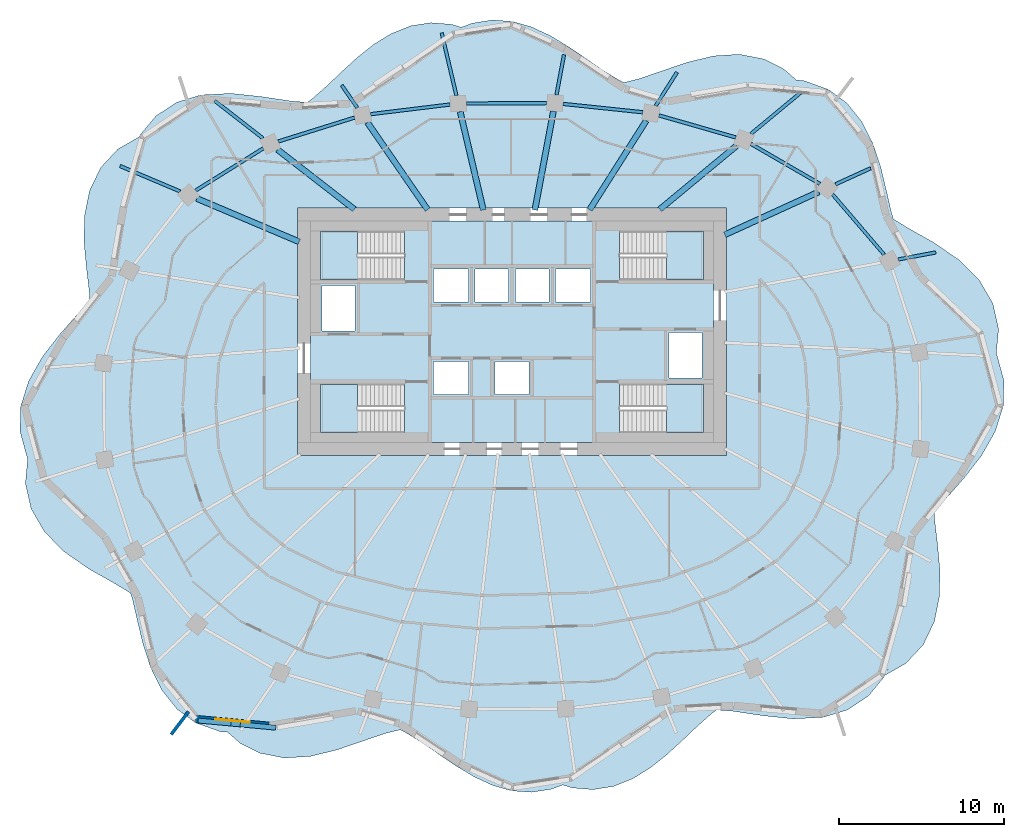
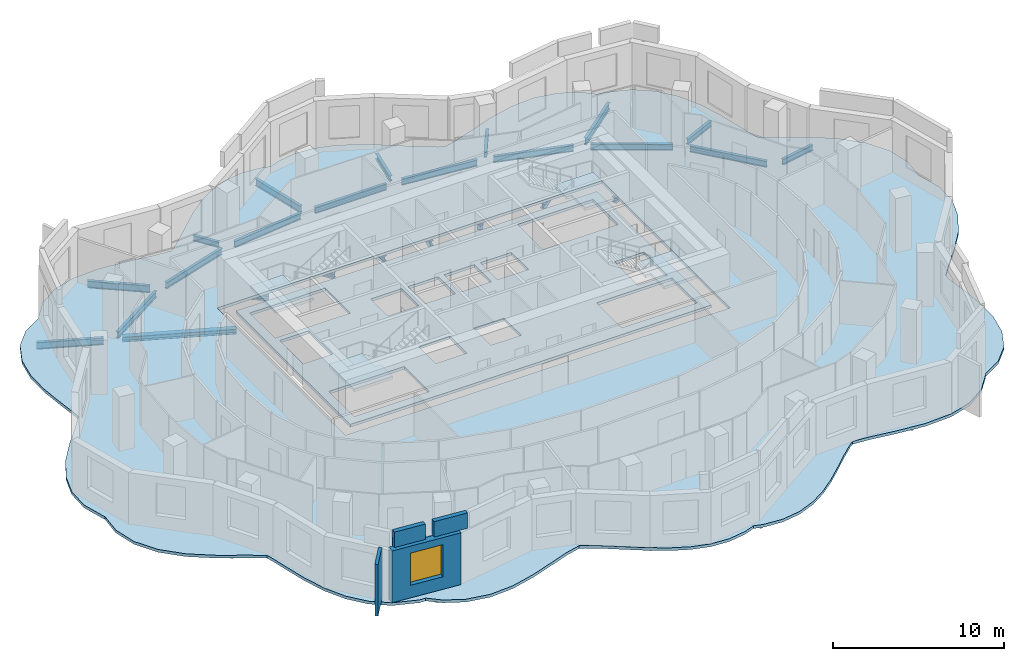
# One storey, part 2 of 10: 25 beams, 6 slabs, 4 walls, 1 window, 1 opening, 4 elements without a shape of their own.
"""IFC4 building model written with IfcOpenShell, lengths in metres."""

from ifc_helpers import new_model, si_unit, direction, frame, frame_2d, origin, origin_2d, place, context, subcontext, project, spatial, polyline, rectangle, i_section, outline, extrude, material, layer, layer_set, material_profile, profile_set, type_object, element, fill, aggregate, save


model = new_model("IFC4")

# Units and contexts
model_context = context("Model", 3, precision=1e-05, world=origin(), true_north=direction((0.0, 1.0)))
body_context = subcontext(model_context, "Body", "Model", "MODEL_VIEW")
ifc_project = project(units=[si_unit("LENGTHUNIT", "METRE"), si_unit("AREAUNIT", "SQUARE_METRE"), si_unit("VOLUMEUNIT", "CUBIC_METRE"), si_unit("PLANEANGLEUNIT", "RADIAN"), si_unit("MASSUNIT", "GRAM", prefix="KILO")], contexts=[model_context])

# Site, building, storey
site_placement = place(None, origin())
site = spatial("IfcSite", under=ifc_project, at=site_placement, CompositionType="ELEMENT")
building_placement = place(site_placement, origin())
building = spatial("IfcBuilding", under=site, at=building_placement, Name="Rubra Terraces Tower", CompositionType="ELEMENT")
storey_placement = place(building_placement, frame((0.0, 0.0, 205.199951171875)))
storey = spatial("IfcBuildingStorey", under=building, at=storey_placement, Name="L50", CompositionType="ELEMENT", Elevation=205.199951171875)

# Beams
ifc_material_1 = material(Name="Steel Q355B", Category="steel")
ifc_material_profile_1 = material_profile(ifc_material_1, i_section(OverallWidth=0.199951171875, OverallDepth=0.39990234375, WebThickness=0.008056640625, FlangeThickness=0.012939453125, at=origin_2d()), Name="HN 400x200x8x13")
ifc_profile_set_1 = profile_set([ifc_material_profile_1], Name="Steel Q355B")
beam_type_1 = type_object("IfcBeamType", Name="CANTILEVER BEAM HN 400x200x8x13", PredefinedType="BEAM", material=ifc_profile_set_1)
beam_1_placement = place(storey_placement, frame((23.39794921875, 8.884033203125, -0.39990234375), z_axis=(0.982868607844, 0.184307622507, 0.0), x_axis=(-0.184307622507, 0.982868607844, 0.0)))
element("IfcBeam", 1, at=beam_1_placement, inside=storey, type_object=beam_type_1, Name="beam-L50-cant-02", PredefinedType="BEAM", context=body_context, shape_type="SweptSolid", body=[
    extrude(i_section(OverallWidth=0.199951171875, OverallDepth=0.39990234375, WebThickness=0.008056640625, FlangeThickness=0.012939453125, at=origin_2d()), origin(), (0.0, 0.0, 1.0), 2.31689453125),
])
beam_2_placement = place(storey_placement, frame((19.596923828125, 13.43896484375, -0.39990234375), z_axis=(0.909791454917, 0.415065667769, 0.0), x_axis=(-0.415065667769, 0.909791454917, 0.0)))
element("IfcBeam", 2, at=beam_2_placement, inside=storey, type_object=beam_type_1, Name="beam-L50-cant-03", PredefinedType="BEAM", context=body_context, shape_type="SweptSolid", body=[
    extrude(i_section(OverallWidth=0.199951171875, OverallDepth=0.39990234375, WebThickness=0.008056640625, FlangeThickness=0.012939453125, at=origin_2d()), origin(), (0.0, 0.0, 1.0), 2.344482421875),
])
beam_3_placement = place(storey_placement, frame((8.7099609375, 18.201904296875, -0.39990234375), z_axis=(0.536577917642, 0.84385077964, 0.0), x_axis=(-0.84385077964, 0.536577917642, 0.0)))
element("IfcBeam", 3, at=beam_3_placement, inside=storey, type_object=beam_type_1, Name="beam-L50-cant-05", PredefinedType="BEAM", context=body_context, shape_type="SweptSolid", body=[
    extrude(i_section(OverallWidth=0.199951171875, OverallDepth=0.39990234375, WebThickness=0.008056640625, FlangeThickness=0.012939453125, at=origin_2d()), origin(), (0.0, 0.0, 1.0), 2.38916015625),
])
beam_4_placement = place(storey_placement, frame((2.695068359375, 18.85400390625, -0.39990234375), z_axis=(0.18429449499, 0.982871069427, 0.0), x_axis=(-0.982871069427, 0.18429449499, 0.0)))
element("IfcBeam", 4, at=beam_4_placement, inside=storey, type_object=beam_type_1, Name="beam-L50-cant-06", PredefinedType="BEAM", context=body_context, shape_type="SweptSolid", body=[
    extrude(i_section(OverallWidth=0.199951171875, OverallDepth=0.39990234375, WebThickness=0.008056640625, FlangeThickness=0.012939453125, at=origin_2d()), origin(), (0.0, 0.0, 1.0), 2.473388671875),
])
beam_5_placement = place(storey_placement, frame((-9.3701171875, 18.070068359375, -0.39990234375), z_axis=(-0.568287582361, 0.822830009014, 0.0), x_axis=(-0.822830009014, -0.568287582361, 0.0)))
element("IfcBeam", 5, at=beam_5_placement, inside=storey, type_object=beam_type_1, Name="beam-L50-cant-08", PredefinedType="BEAM", context=body_context, shape_type="SweptSolid", body=[
    extrude(i_section(OverallWidth=0.199951171875, OverallDepth=0.39990234375, WebThickness=0.008056640625, FlangeThickness=0.012939453125, at=origin_2d()), origin(), (0.0, 0.0, 1.0), 1.666015625),
])
ifc_material_profile_2 = material_profile(ifc_material_1, i_section(OverallWidth=0.198974609375, OverallDepth=0.49609375, WebThickness=0.009033203125, FlangeThickness=0.013916015625, at=origin_2d()), Name="HN 496x199x9x14")
ifc_profile_set_2 = profile_set([ifc_material_profile_2], Name="Steel Q355B")
beam_type_2 = type_object("IfcBeamType", Name="CANTILEVER BEAM HN 496x199x9x14", PredefinedType="BEAM", material=ifc_profile_set_2)
beam_6_placement = place(storey_placement, frame((14.47509765625, 16.4951171875, -0.447998046875), z_axis=(0.770112647774, 0.637907916347, 0.0), x_axis=(-0.637907916347, 0.770112647774, 0.0)))
element("IfcBeam", 6, at=beam_6_placement, inside=storey, type_object=beam_type_2, Name="beam-L50-cant-04", PredefinedType="BEAM", context=body_context, shape_type="SweptSolid", body=[
    extrude(i_section(OverallWidth=0.198974609375, OverallDepth=0.49609375, WebThickness=0.009033203125, FlangeThickness=0.013916015625, at=origin_2d()), origin(), (0.0, 0.0, 1.0), 3.949951171875),
])
beam_7_placement = place(storey_placement, frame((-3.3701171875, 18.823974609375, -0.447998046875), z_axis=(-0.228972734486, 0.973432836338, 0.0), x_axis=(-0.973432836338, -0.228972734486, 0.0)))
element("IfcBeam", 7, at=beam_7_placement, inside=storey, type_object=beam_type_2, Name="beam-L50-cant-07", PredefinedType="BEAM", context=body_context, shape_type="SweptSolid", body=[
    extrude(i_section(OverallWidth=0.198974609375, OverallDepth=0.49609375, WebThickness=0.009033203125, FlangeThickness=0.013916015625, at=origin_2d()), origin(), (0.0, 0.0, 1.0), 3.882080078125),
])
beam_8_placement = place(storey_placement, frame((-15.087890625, 16.22705078125, -0.447998046875), z_axis=(-0.789596931968, 0.613625851009, 0.0), x_axis=(-0.613625851009, -0.789596931968, 0.0)))
element("IfcBeam", 8, at=beam_8_placement, inside=storey, type_object=beam_type_2, Name="beam-L50-cant-09", PredefinedType="BEAM", context=body_context, shape_type="SweptSolid", body=[
    extrude(i_section(OverallWidth=0.198974609375, OverallDepth=0.49609375, WebThickness=0.009033203125, FlangeThickness=0.013916015625, at=origin_2d()), origin(), (0.0, 0.0, 1.0), 3.705810546875),
])
beam_9_placement = place(storey_placement, frame((-20.10205078125, 13.0048828125, -0.447998046875), z_axis=(-0.920935678628, 0.389714608181, 0.0), x_axis=(-0.389714608181, -0.920935678628, 0.0)))
element("IfcBeam", 9, at=beam_9_placement, inside=storey, type_object=beam_type_2, Name="beam-L50-cant-10", PredefinedType="BEAM", context=body_context, shape_type="SweptSolid", body=[
    extrude(i_section(OverallWidth=0.198974609375, OverallDepth=0.49609375, WebThickness=0.009033203125, FlangeThickness=0.013916015625, at=origin_2d()), origin(), (0.0, 0.0, 1.0), 3.94921875),
])
ifc_material_profile_3 = material_profile(ifc_material_1, i_section(OverallWidth=0.35009765625, OverallDepth=0.35009765625, WebThickness=0.011962890625, FlangeThickness=0.01904296875, at=origin_2d()), Name="HW 350x350x12x19")
ifc_profile_set_3 = profile_set([ifc_material_profile_3], Name="Steel Q355B")
beam_type_3 = type_object("IfcBeamType", Name="FLOOR BEAM HW 350x350x12x19", PredefinedType="BEAM", material=ifc_profile_set_3)
beam_10_placement = place(storey_placement, frame((18.5869140625, 12.97900390625, -0.375), z_axis=(-0.909756526533, -0.415142219523, 0.0), x_axis=(0.415142219523, -0.909756526533, 0.0)))
element("IfcBeam", 10, at=beam_10_placement, inside=storey, type_object=beam_type_3, Name="beam-L50-floor-03", PredefinedType="BEAM", context=body_context, shape_type="SweptSolid", body=[
    extrude(i_section(OverallWidth=0.35009765625, OverallDepth=0.35009765625, WebThickness=0.011962890625, FlangeThickness=0.01904296875, at=origin_2d()), origin(), (0.0, 0.0, 1.0), 6.2607421875),
])
beam_11_placement = place(storey_placement, frame((13.60888671875, 15.777099609375, -0.375), z_axis=(-0.769987518392, -0.638058948312, 0.0), x_axis=(0.638058948312, -0.769987518392, 0.0)))
element("IfcBeam", 11, at=beam_11_placement, inside=storey, type_object=beam_type_3, Name="beam-L50-floor-04", PredefinedType="BEAM", context=body_context, shape_type="SweptSolid", body=[
    extrude(i_section(OverallWidth=0.35009765625, OverallDepth=0.35009765625, WebThickness=0.011962890625, FlangeThickness=0.01904296875, at=origin_2d()), origin(), (0.0, 0.0, 1.0), 6.040283203125),
])
beam_12_placement = place(storey_placement, frame((8.134033203125, 17.2958984375, -0.375), z_axis=(-0.536509861106, -0.843894050776, 0.0), x_axis=(0.843894050776, -0.536509861106, 0.0)))
element("IfcBeam", 12, at=beam_12_placement, inside=storey, type_object=beam_type_3, Name="beam-L50-floor-05", PredefinedType="BEAM", context=body_context, shape_type="SweptSolid", body=[
    extrude(i_section(OverallWidth=0.35009765625, OverallDepth=0.35009765625, WebThickness=0.011962890625, FlangeThickness=0.01904296875, at=origin_2d()), origin(), (0.0, 0.0, 1.0), 6.395263671875),
])
beam_13_placement = place(storey_placement, frame((2.509033203125, 17.862060546875, -0.375), z_axis=(-0.184574398021, -0.982818544593, 0.0), x_axis=(0.982818544593, -0.184574398021, 0.0)))
element("IfcBeam", 13, at=beam_13_placement, inside=storey, type_object=beam_type_3, Name="beam-L50-floor-06", PredefinedType="BEAM", context=body_context, shape_type="SweptSolid", body=[
    extrude(i_section(OverallWidth=0.35009765625, OverallDepth=0.35009765625, WebThickness=0.011962890625, FlangeThickness=0.01904296875, at=origin_2d()), origin(), (0.0, 0.0, 1.0), 6.08447265625),
])
beam_14_placement = place(storey_placement, frame((-3.137939453125, 17.8359375, -0.375), z_axis=(0.229070485592, -0.973409837957, 0.0), x_axis=(0.973409837957, 0.229070485592, 0.0)))
element("IfcBeam", 14, at=beam_14_placement, inside=storey, type_object=beam_type_3, Name="beam-L50-floor-07", PredefinedType="BEAM", context=body_context, shape_type="SweptSolid", body=[
    extrude(i_section(OverallWidth=0.35009765625, OverallDepth=0.35009765625, WebThickness=0.011962890625, FlangeThickness=0.01904296875, at=origin_2d()), origin(), (0.0, 0.0, 1.0), 6.115478515625),
])
beam_15_placement = place(storey_placement, frame((-8.756103515625, 17.179931640625, -0.375), z_axis=(0.568186422001, -0.822899866238, 0.0), x_axis=(0.822899866238, 0.568186422001, 0.0)))
element("IfcBeam", 15, at=beam_15_placement, inside=storey, type_object=beam_type_3, Name="beam-L50-floor-08", PredefinedType="BEAM", context=body_context, shape_type="SweptSolid", body=[
    extrude(i_section(OverallWidth=0.35009765625, OverallDepth=0.35009765625, WebThickness=0.011962890625, FlangeThickness=0.01904296875, at=origin_2d()), origin(), (0.0, 0.0, 1.0), 6.415283203125),
])
beam_16_placement = place(storey_placement, frame((-14.197998046875, 15.534912109375, -0.375), z_axis=(0.789548898228, -0.613687654517, 0.0), x_axis=(0.613687654517, 0.789548898228, 0.0)))
element("IfcBeam", 16, at=beam_16_placement, inside=storey, type_object=beam_type_3, Name="beam-L50-floor-09", PredefinedType="BEAM", context=body_context, shape_type="SweptSolid", body=[
    extrude(i_section(OverallWidth=0.35009765625, OverallDepth=0.35009765625, WebThickness=0.011962890625, FlangeThickness=0.01904296875, at=origin_2d()), origin(), (0.0, 0.0, 1.0), 5.880615234375),
])
beam_17_placement = place(storey_placement, frame((-19.083984375, 12.574951171875, -0.375), z_axis=(0.92097476483, -0.38962223056, 0.0), x_axis=(0.38962223056, 0.92097476483, 0.0)))
element("IfcBeam", 17, at=beam_17_placement, inside=storey, type_object=beam_type_3, Name="beam-L50-floor-10", PredefinedType="BEAM", context=body_context, shape_type="SweptSolid", body=[
    extrude(i_section(OverallWidth=0.35009765625, OverallDepth=0.35009765625, WebThickness=0.011962890625, FlangeThickness=0.01904296875, at=origin_2d()), origin(), (0.0, 0.0, 1.0), 6.7265625),
])
ifc_material_profile_4 = material_profile(ifc_material_1, i_section(OverallWidth=0.198974609375, OverallDepth=0.446044921875, WebThickness=0.008056640625, FlangeThickness=0.011962890625, at=origin_2d()), Name="HN 446x199x8x12")
ifc_profile_set_4 = profile_set([ifc_material_profile_4], Name="Steel Q355B")
beam_type_4 = type_object("IfcBeamType", Name="SPANDREL BEAM HN 446x199x8x12", PredefinedType="SPANDREL", material=ifc_profile_set_4)
beam_18_placement = place(storey_placement, frame((22.547119140625, 9.174072265625, -0.4228515625), z_axis=(-0.650372836218, 0.759615148552, 0.0), x_axis=(-0.759615148552, -0.650372836218, 0.0)))
element("IfcBeam", 18, at=beam_18_placement, inside=storey, type_object=beam_type_4, Name="beam-L50-spandrel-02", PredefinedType="SPANDREL", context=body_context, shape_type="SweptSolid", body=[
    extrude(i_section(OverallWidth=0.198974609375, OverallDepth=0.446044921875, WebThickness=0.008056640625, FlangeThickness=0.011962890625, at=origin_2d()), origin(), (0.0, 0.0, 1.0), 4.804931640625),
])
beam_19_placement = place(storey_placement, frame((18.653076171875, 13.462890625, -0.4228515625), z_axis=(-0.865153680787, 0.501506838059, 0.0), x_axis=(-0.501506838059, -0.865153680787, 0.0)))
element("IfcBeam", 19, at=beam_19_placement, inside=storey, type_object=beam_type_4, Name="beam-L50-spandrel-03", PredefinedType="SPANDREL", context=body_context, shape_type="SweptSolid", body=[
    extrude(i_section(OverallWidth=0.198974609375, OverallDepth=0.446044921875, WebThickness=0.008056640625, FlangeThickness=0.011962890625, at=origin_2d()), origin(), (0.0, 0.0, 1.0), 4.82568359375),
])
beam_20_placement = place(storey_placement, frame((13.55810546875, 16.27490234375, -0.4228515625), z_axis=(-0.961171164323, 0.275952881621, 0.0), x_axis=(-0.275952881621, -0.961171164323, 0.0)))
element("IfcBeam", 20, at=beam_20_placement, inside=storey, type_object=beam_type_4, Name="beam-L50-spandrel-04", PredefinedType="SPANDREL", context=body_context, shape_type="SweptSolid", body=[
    extrude(i_section(OverallWidth=0.198974609375, OverallDepth=0.446044921875, WebThickness=0.008056640625, FlangeThickness=0.011962890625, at=origin_2d()), origin(), (0.0, 0.0, 1.0), 4.842041015625),
])
beam_21_placement = place(storey_placement, frame((7.923095703125, 17.801025390625, -0.4228515625), z_axis=(-0.994565426955, 0.104113454971, 0.0), x_axis=(-0.104113454971, -0.994565426955, 0.0)))
element("IfcBeam", 21, at=beam_21_placement, inside=storey, type_object=beam_type_4, Name="beam-L50-spandrel-05", PredefinedType="SPANDREL", context=body_context, shape_type="SweptSolid", body=[
    extrude(i_section(OverallWidth=0.198974609375, OverallDepth=0.446044921875, WebThickness=0.008056640625, FlangeThickness=0.011962890625, at=origin_2d()), origin(), (0.0, 0.0, 1.0), 4.849365234375),
])
beam_22_placement = place(storey_placement, frame((2.10107421875, 18.35595703125, -0.4228515625), z_axis=(-0.999987852299, -0.004929021704, 0.0), x_axis=(0.004929021704, -0.999987852299, 0.0)))
element("IfcBeam", 22, at=beam_22_placement, inside=storey, type_object=beam_type_4, Name="beam-L50-spandrel-06", PredefinedType="SPANDREL", context=body_context, shape_type="SweptSolid", body=[
    extrude(i_section(OverallWidth=0.198974609375, OverallDepth=0.446044921875, WebThickness=0.008056640625, FlangeThickness=0.011962890625, at=origin_2d()), origin(), (0.0, 0.0, 1.0), 4.85400390625),
])
beam_23_placement = place(storey_placement, frame((-3.7509765625, 18.27001953125, -0.4228515625), z_axis=(-0.992698018573, -0.120626049929, 0.0), x_axis=(0.120626049929, -0.992698018573, 0.0)))
element("IfcBeam", 23, at=beam_23_placement, inside=storey, type_object=beam_type_4, Name="beam-L50-spandrel-07", PredefinedType="SPANDREL", context=body_context, shape_type="SweptSolid", body=[
    extrude(i_section(OverallWidth=0.198974609375, OverallDepth=0.446044921875, WebThickness=0.008056640625, FlangeThickness=0.011962890625, at=origin_2d()), origin(), (0.0, 0.0, 1.0), 4.849365234375),
])
beam_24_placement = place(storey_placement, frame((-9.5419921875, 17.47509765625, -0.4228515625), z_axis=(-0.954462027342, -0.298332429282, 0.0), x_axis=(0.298332429282, -0.954462027342, 0.0)))
element("IfcBeam", 24, at=beam_24_placement, inside=storey, type_object=beam_type_4, Name="beam-L50-spandrel-08", PredefinedType="SPANDREL", context=body_context, shape_type="SweptSolid", body=[
    extrude(i_section(OverallWidth=0.198974609375, OverallDepth=0.446044921875, WebThickness=0.008056640625, FlangeThickness=0.011962890625, at=origin_2d()), origin(), (0.0, 0.0, 1.0), 4.840576171875),
])
beam_25_placement = place(storey_placement, frame((-15.071044921875, 15.614013671875, -0.4228515625), z_axis=(-0.848183088492, -0.529703170083, 0.0), x_axis=(0.529703170083, -0.848183088492, 0.0)))
element("IfcBeam", 25, at=beam_25_placement, inside=storey, type_object=beam_type_4, Name="beam-L50-spandrel-09", PredefinedType="SPANDREL", context=body_context, shape_type="SweptSolid", body=[
    extrude(i_section(OverallWidth=0.198974609375, OverallDepth=0.446044921875, WebThickness=0.008056640625, FlangeThickness=0.011962890625, at=origin_2d()), origin(), (0.0, 0.0, 1.0), 4.8232421875),
])

# Slab
ifc_material_2 = material(Name="Concrete C40", Category="concrete")
ifc_layer_1 = layer(ifc_material_2, 0.199951171875)
ifc_layer_set_1 = layer_set([ifc_layer_1], Name="Concrete C40")
slab_type_1 = type_object("IfcSlabType", Name="Core floor slab 200 concrete", PredefinedType="FLOOR", material=ifc_layer_set_1)
slab_1_placement = place(storey_placement, frame((0.0, 0.0, -0.199951171875)))
element("IfcSlab", 26, at=slab_1_placement, inside=storey, type_object=slab_type_1, Name="CORE FLOOR SLAB L50", PredefinedType="FLOOR", context=body_context, shape_type="SweptSolid", body=[
    extrude(outline(polyline([(-12.199951171875, -2.199951171875), (-12.199951171875, 11.199951171875), (12.199951171875, 11.199951171875), (12.199951171875, -2.199951171875), (-12.199951171875, -2.199951171875)]), holes=[polyline([(11.597900390625, 1.347900390625), (6.501953125, 1.347900390625), (6.501953125, -1.597900390625), (11.597900390625, -1.597900390625), (11.597900390625, 1.347900390625)]), polyline([(11.597900390625, 7.652099609375), (11.597900390625, 10.597900390625), (6.501953125, 10.597900390625), (6.501953125, 7.652099609375), (11.597900390625, 7.652099609375)]), polyline([(9.5, 1.699951171875), (11.5, 1.699951171875), (11.5, 4.449951171875), (9.5, 4.449951171875), (9.5, 1.699951171875)]), polyline([(4.75, 6.300048828125), (4.75, 8.300048828125), (2.64990234375, 8.300048828125), (2.64990234375, 6.300048828125), (4.75, 6.300048828125)]), polyline([(2.25, 8.300048828125), (0.199951171875, 8.300048828125), (0.199951171875, 6.300048828125), (2.25, 6.300048828125), (2.25, 8.300048828125)]), polyline([(1.02490234375, 0.699951171875), (1.02490234375, 2.699951171875), (-1.02490234375, 2.699951171875), (-1.02490234375, 0.699951171875), (1.02490234375, 0.699951171875)]), polyline([(-0.199951171875, 6.300048828125), (-0.199951171875, 8.300048828125), (-2.25, 8.300048828125), (-2.25, 6.300048828125), (-0.199951171875, 6.300048828125)]), polyline([(-4.75, 8.300048828125), (-4.75, 6.300048828125), (-2.64990234375, 6.300048828125), (-2.64990234375, 8.300048828125), (-4.75, 8.300048828125)]), polyline([(-2.64990234375, 0.699951171875), (-2.64990234375, 2.699951171875), (-4.75, 2.699951171875), (-4.75, 0.699951171875), (-2.64990234375, 0.699951171875)]), polyline([(-11.597900390625, -1.597900390625), (-6.501953125, -1.597900390625), (-6.501953125, 1.347900390625), (-11.597900390625, 1.347900390625), (-11.597900390625, -1.597900390625)]), polyline([(-11.597900390625, 10.597900390625), (-11.597900390625, 7.652099609375), (-6.501953125, 7.652099609375), (-6.501953125, 10.597900390625), (-11.597900390625, 10.597900390625)]), polyline([(-9.5, 4.550048828125), (-9.5, 7.300048828125), (-11.5, 7.300048828125), (-11.5, 4.550048828125), (-9.5, 4.550048828125)])]), origin(), (0.0, 0.0, 1.0), 0.199951171875),
])

# Stair, slab
stair_type = type_object("IfcStairType", Name="Core stair 1400", PredefinedType="HALF_TURN_STAIR", material=ifc_material_2)
stair_1_placement = place(storey_placement, origin())
stair_1 = element("IfcStair", 27, at=stair_1_placement, inside=storey, type_object=stair_type, Name="L50 Exit stair S1", PredefinedType="HALF_TURN_STAIR")
ifc_layer_2 = layer(ifc_material_2, 0.199951171875)
ifc_layer_set_2 = layer_set([ifc_layer_2], Name="Concrete C40")
slab_type_2 = type_object("IfcSlabType", Name="Core stair landing 200", PredefinedType="LANDING", material=ifc_layer_set_2)
slab_2_placement = place(storey_placement, frame((0.0, 0.0, 1.75)))
slab_2 = element("IfcSlab", 28, at=slab_2_placement, type_object=slab_type_2, Name="S1 landing 1", PredefinedType="LANDING", context=body_context, shape_type="SweptSolid", body=[
    extrude(outline(polyline([(-8.97998046875, -0.199951171875), (-8.97998046875, -1.60009765625), (-9.360107421875, -1.60009765625), (-9.3798828125, -1.60009765625), (-11.60009765625, -1.60009765625), (-11.60009765625, 1.35009765625), (-9.3798828125, 1.35009765625), (-9.35791015625, 1.35009765625), (-9.35791015625, -0.050048828125), (-9.360107421875, -0.050048828125), (-9.360107421875, -0.199951171875), (-8.97998046875, -0.199951171875)])), origin(), (0.0, 0.0, 1.0), 0.199951171875),
])
aggregate(stair_1, [slab_2])

stair_2_placement = place(storey_placement, origin())
stair_2 = element("IfcStair", 29, at=stair_2_placement, inside=storey, type_object=stair_type, Name="L50 Exit stair S2", PredefinedType="HALF_TURN_STAIR")
slab_3_placement = place(storey_placement, frame((0.0, 0.0, 1.75)))
slab_3 = element("IfcSlab", 30, at=slab_3_placement, type_object=slab_type_2, Name="S2 landing 1", PredefinedType="LANDING", context=body_context, shape_type="SweptSolid", body=[
    extrude(outline(polyline([(-8.97998046875, 9.050048828125), (-8.97998046875, 7.64990234375), (-9.3798828125, 7.64990234375), (-11.60009765625, 7.64990234375), (-11.60009765625, 10.60009765625), (-9.3798828125, 10.60009765625), (-9.360107421875, 10.60009765625), (-9.35791015625, 10.60009765625), (-9.35791015625, 9.199951171875), (-9.360107421875, 9.199951171875), (-9.360107421875, 9.050048828125), (-8.97998046875, 9.050048828125)])), origin(), (0.0, 0.0, 1.0), 0.199951171875),
])
aggregate(stair_2, [slab_3])

stair_3_placement = place(storey_placement, origin())
stair_3 = element("IfcStair", 31, at=stair_3_placement, inside=storey, type_object=stair_type, Name="L50 Exit stair S3", PredefinedType="HALF_TURN_STAIR")
slab_4_placement = place(storey_placement, frame((0.0, 0.0, 1.75)))
slab_4 = element("IfcSlab", 32, at=slab_4_placement, type_object=slab_type_2, Name="S3 landing 1", PredefinedType="LANDING", context=body_context, shape_type="SweptSolid", body=[
    extrude(outline(polyline([(9.360107421875, 9.050048828125), (9.360107421875, 9.199951171875), (8.97998046875, 9.199951171875), (8.97998046875, 10.60009765625), (9.360107421875, 10.60009765625), (9.3798828125, 10.60009765625), (11.60009765625, 10.60009765625), (11.60009765625, 7.64990234375), (9.3798828125, 7.64990234375), (9.35791015625, 7.64990234375), (9.35791015625, 9.050048828125), (9.360107421875, 9.050048828125)])), origin(), (0.0, 0.0, 1.0), 0.199951171875),
])
aggregate(stair_3, [slab_4])

stair_4_placement = place(storey_placement, origin())
stair_4 = element("IfcStair", 33, at=stair_4_placement, inside=storey, type_object=stair_type, Name="L50 Exit stair S4", PredefinedType="HALF_TURN_STAIR")
slab_5_placement = place(storey_placement, frame((0.0, 0.0, 1.75)))
slab_5 = element("IfcSlab", 34, at=slab_5_placement, type_object=slab_type_2, Name="S4 landing 1", PredefinedType="LANDING", context=body_context, shape_type="SweptSolid", body=[
    extrude(outline(polyline([(9.360107421875, -0.199951171875), (9.360107421875, -0.050048828125), (8.97998046875, -0.050048828125), (8.97998046875, 1.35009765625), (9.360107421875, 1.35009765625), (9.3798828125, 1.35009765625), (11.60009765625, 1.35009765625), (11.60009765625, -1.60009765625), (9.3798828125, -1.60009765625), (9.360107421875, -1.60009765625), (9.35791015625, -1.60009765625), (9.35791015625, -0.199951171875), (9.360107421875, -0.199951171875)])), origin(), (0.0, 0.0, 1.0), 0.199951171875),
])
aggregate(stair_4, [slab_5])

# Slab
ifc_layer_3 = layer(ifc_material_2, 0.199951171875)
ifc_layer_set_3 = layer_set([ifc_layer_3], Name="Concrete C40")
slab_type_3 = type_object("IfcSlabType", Name="FLOOR SLAB 200 COMPOSITE", PredefinedType="FLOOR", material=ifc_layer_set_3)
slab_6_placement = place(storey_placement, frame((0.0, 0.0, -0.199951171875)))
element("IfcSlab", 35, at=slab_6_placement, inside=storey, type_object=slab_type_3, Name="FLOOR SLAB L50", PredefinedType="FLOOR", context=body_context, shape_type="SweptSolid", body=[
    extrude(outline(polyline([(24.069091796875, 10.74609375), (23.112060546875, 11.324951171875), (22.988037109375, 11.712890625), (22.68408203125, 13.0390625), (22.342041015625, 14.4599609375), (21.8701171875, 15.889892578125), (21.199951171875, 17.222900390625), (20.301025390625, 18.346923828125), (19.179931640625, 19.179931640625), (17.657958984375, 19.72412109375), (17.235107421875, 19.7529296875), (16.466064453125, 20.4189453125), (15.27392578125, 21.02294921875), (13.781005859375, 21.31494140625), (12.205078125, 21.215087890625), (10.611083984375, 20.825927734375), (9.1240234375, 20.320068359375), (7.697021484375, 19.83203125), (6.784912109375, 19.60791015625), (6.427978515625, 19.782958984375), (5.45703125, 20.389892578125), (4.465087890625, 21.071044921875), (3.447021484375, 21.762939453125), (2.31591796875, 22.444091796875), (1.162109375, 22.97900390625), (0.0, 23.306884765625), (-1.201904296875, 23.389892578125), (-2.408935546875, 23.197998046875), (-3.06591796875, 22.949951171875), (-3.6630859375, 23.126953125), (-4.908935546875, 23.22900390625), (-6.138916015625, 23.037109375), (-7.330078125, 22.56103515625), (-8.3798828125, 21.910888671875), (-9.376953125, 21.118896484375), (-10.321044921875, 20.2548828125), (-11.237060546875, 19.384033203125), (-12.132080078125, 18.593017578125), (-12.39501953125, 18.402099609375), (-13.431884765625, 18.487060546875), (-15.18798828125, 18.7509765625), (-17.028076171875, 18.945068359375), (-18.85009765625, 18.85009765625), (-20.320068359375, 18.403076171875), (-21.5791015625, 17.572998046875), (-22.55908203125, 16.389892578125), (-23.196044921875, 15.06103515625), (-22.60107421875, 16.302978515625), (-23.864990234375, 15.5810546875), (-24.9140625, 14.4560546875), (-25.593994140625, 13.041015625), (-25.89892578125, 11.50390625), (-25.923095703125, 9.916015625), (-25.779052734375, 8.3759765625), (-25.596923828125, 6.819091796875), (-25.587890625, 6.4599609375), (-26.281982421875, 5.613037109375), (-27.404052734375, 4.340087890625), (-28.449951171875, 2.988037109375), (-29.281982421875, 1.51904296875), (-29.757080078125, 0.0), (-29.802978515625, -1.535888671875), (-29.383056640625, -3.072021484375), (-29.3359375, -3.153076171875), (-29.47607421875, -4.6689453125), (-29.134033203125, -6.214111328125), (-28.319091796875, -7.618896484375), (-27.135009765625, -8.81689453125), (-25.60693359375, -9.8779296875), (-24.069091796875, -10.74609375), (-23.112060546875, -11.324951171875), (-22.988037109375, -11.712890625), (-22.68408203125, -13.0390625), (-22.342041015625, -14.4599609375), (-21.8701171875, -15.889892578125), (-21.199951171875, -17.222900390625), (-20.301025390625, -18.346923828125), (-19.179931640625, -19.179931640625), (-17.657958984375, -19.72412109375), (-17.235107421875, -19.7529296875), (-16.466064453125, -20.4189453125), (-15.27392578125, -21.02294921875), (-13.781005859375, -21.31494140625), (-12.205078125, -21.215087890625), (-10.611083984375, -20.825927734375), (-9.1240234375, -20.320068359375), (-7.697021484375, -19.83203125), (-6.784912109375, -19.60791015625), (-6.427978515625, -19.782958984375), (-5.45703125, -20.389892578125), (-4.465087890625, -21.071044921875), (-3.447021484375, -21.762939453125), (-2.31591796875, -22.444091796875), (-1.162109375, -22.97900390625), (0.0, -23.306884765625), (1.201904296875, -23.389892578125), (2.408935546875, -23.197998046875), (3.06591796875, -22.949951171875), (3.6630859375, -23.126953125), (4.908935546875, -23.22900390625), (6.138916015625, -23.037109375), (7.330078125, -22.56103515625), (8.3798828125, -21.910888671875), (9.376953125, -21.118896484375), (10.321044921875, -20.2548828125), (11.237060546875, -19.384033203125), (12.132080078125, -18.593017578125), (12.39501953125, -18.402099609375), (13.431884765625, -18.487060546875), (15.18798828125, -18.7509765625), (17.028076171875, -18.945068359375), (18.85009765625, -18.85009765625), (20.320068359375, -18.403076171875), (21.5791015625, -17.572998046875), (22.55908203125, -16.389892578125), (23.196044921875, -15.06103515625), (22.60107421875, -16.302978515625), (23.864990234375, -15.5810546875), (24.9140625, -14.4560546875), (25.593994140625, -13.041015625), (25.89892578125, -11.50390625), (25.923095703125, -9.916015625), (25.779052734375, -8.3759765625), (25.596923828125, -6.819091796875), (25.587890625, -6.4599609375), (26.281982421875, -5.613037109375), (27.404052734375, -4.340087890625), (28.449951171875, -2.988037109375), (29.281982421875, -1.51904296875), (29.757080078125, 0.0), (29.802978515625, 1.535888671875), (29.383056640625, 3.072021484375), (29.3359375, 3.153076171875), (29.47607421875, 4.6689453125), (29.134033203125, 6.214111328125), (28.319091796875, 7.618896484375), (27.135009765625, 8.81689453125), (25.60693359375, 9.8779296875), (24.069091796875, 10.74609375)]), holes=[polyline([(13.0, 12.0), (13.0, -3.0), (-13.0, -3.0), (-13.0, 12.0), (13.0, 12.0)])]), origin(), (0.0, 0.0, 1.0), 0.199951171875),
])

# Wall, opening, window
ifc_material_3 = material(Name="Brick masonry red-brown", Category="masonry")
ifc_layer_4 = layer(ifc_material_3, 0.449951171875)
ifc_layer_set_4 = layer_set([ifc_layer_4], Name="Brick masonry red-brown")
wall_type_1 = type_object("IfcWallType", Name="Brick facade wall 450", PredefinedType="SOLIDWALL", material=ifc_layer_set_4)
wall_1_placement = place(storey_placement, frame((-19.1591796875, -18.955810546875, 0.0), z_axis=(0.0, 0.0, 1.0), x_axis=(0.995777399421, -0.091800712424, 0.0)))
wall_1 = element("IfcWall", 36, at=wall_1_placement, inside=storey, type_object=wall_type_1, Name="Facade wall L50 bay 26", PredefinedType="SOLIDWALL", context=body_context, shape_type="SweptSolid", body=[
    extrude(rectangle(XDim=4.45458984375, YDim=0.449951171875, at=frame_2d((2.227294921875, 0.0))), origin(), (0.0, 0.0, 1.0), 3.699951171875),
])
opening_placement = place(wall_1_placement, frame((1.177490234375, 0.0, 0.89990234375)))
opening = element("IfcOpeningElement", 37, at=opening_placement, cuts=wall_1, Name="Opening W1B", PredefinedType="OPENING", context=body_context, shape_type="SweptSolid", body=[
    extrude(rectangle(XDim=2.10009765625, YDim=2.300048828125, at=frame_2d((1.050048828125, 1.14990234375))), frame((0.0, 0.23486328125, 0.0), z_axis=(0.0, -1.0, 0.0), x_axis=(1.0, 0.0, 0.0)), (0.0, 0.0, 1.0), 0.469970703125),
])
ifc_material_4 = material(Name="Clear glass in aluminium frame", Category="aluminium")
window_type = type_object("IfcWindowType", Name="Fixed deep-set window tall storey 2100 x 2300", PartitioningType="SINGLE_PANEL", PredefinedType="WINDOW", material=ifc_material_4)
window_placement = place(opening_placement, origin())
window = element("IfcWindow", 38, at=window_placement, inside=storey, type_object=window_type, Name="Window L50 bay 26", OverallHeight=2.300048828125, OverallWidth=2.10009765625, PartitioningType="SINGLE_PANEL", PredefinedType="WINDOW", context=body_context, shape_type="SweptSolid", body=[
    extrude(rectangle(XDim=2.10009765625, YDim=2.300048828125, at=frame_2d((1.050048828125, 1.14990234375))), frame((0.0, 0.135009765625, 0.0), z_axis=(0.0, -1.0, 0.0), x_axis=(1.0, 0.0, 0.0)), (0.0, 0.0, 1.0), 0.06005859375),
])
fill(opening, window)

# Walls
ifc_layer_5 = layer(ifc_material_3, 0.300048828125)
ifc_layer_set_5 = layer_set([ifc_layer_5], Name="Brick masonry red-brown")
wall_type_2 = type_object("IfcWallType", Name="Brick parapet 300", PredefinedType="PARAPET", material=ifc_layer_set_5)
wall_2_placement = place(storey_placement, frame((-19.01123046875, -19.044921875, 3.900146484375), z_axis=(0.0, 0.0, 1.0), x_axis=(0.995779953678, -0.09177300176, 0.0)))
element("IfcWall", 39, at=wall_2_placement, inside=storey, type_object=wall_type_2, Name="Parapet L50 bay 26", PredefinedType="PARAPET", context=body_context, shape_type="SweptSolid", body=[
    extrude(rectangle(XDim=1.992431640625, YDim=0.300048828125, at=frame_2d((0.99609375, 0.0))), origin(), (0.0, 0.0, 1.0), 1.099853515625),
])
wall_3_placement = place(storey_placement, frame((-16.461669921875, -19.27978515625, 3.900146484375), z_axis=(0.0, 0.0, 1.0), x_axis=(0.995778015376, -0.091794030816, 0.0)))
element("IfcWall", 40, at=wall_3_placement, inside=storey, type_object=wall_type_2, Name="Parapet L50 bay 26.2", PredefinedType="PARAPET", context=body_context, shape_type="SweptSolid", body=[
    extrude(rectangle(XDim=2.151611328125, YDim=0.300048828125, at=frame_2d((1.07568359375, 0.0))), origin(), (0.0, 0.0, 1.0), 1.099853515625),
])
ifc_layer_6 = layer(ifc_material_3, 0.199951171875)
ifc_layer_set_6 = layer_set([ifc_layer_6], Name="Brick masonry red-brown")
wall_type_3 = type_object("IfcWallType", Name="Brick wind fin 200", PredefinedType="SOLIDWALL", material=ifc_layer_set_6)
wall_4_placement = place(storey_placement, frame((-19.591064453125, -18.498046875, 0.0), z_axis=(0.0, 0.0, 1.0), x_axis=(-0.603387525063, -0.797448114048, 0.0)))
element("IfcWall", 41, at=wall_4_placement, inside=storey, type_object=wall_type_3, Name="Wind fin L50 15", PredefinedType="SOLIDWALL", context=body_context, shape_type="SweptSolid", body=[
    extrude(rectangle(XDim=1.75, YDim=0.199951171875, at=frame_2d((0.875, 0.0))), origin(), (0.0, 0.0, 1.0), 3.699951171875),
])

save(model, "model.ifc")
